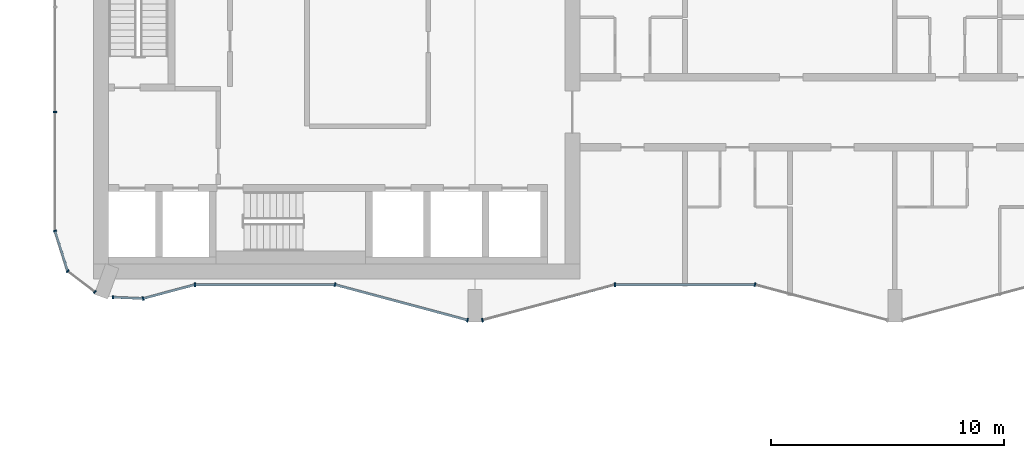
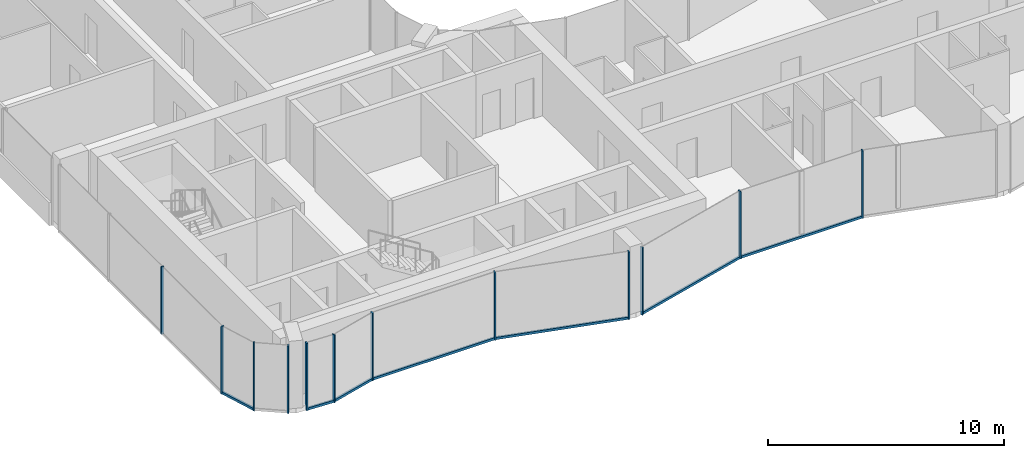
# One storey, part 2 of 22: 19 members, 10 elements without a shape of their own.
"""IFC4 building model written with IfcOpenShell, lengths in metres."""

from ifc_helpers import new_model, si_unit, direction, frame, origin, origin_2d, place, context, subcontext, project, spatial, rectangle, extrude, material, layer, layer_set, material_profile, profile_set, type_object, element, aggregate, save


model = new_model("IFC4")

# Units and contexts
model_context = context("Model", 3, precision=1e-05, world=origin(), true_north=direction((0.0, 1.0)))
body_context = subcontext(model_context, "Body", "Model", "MODEL_VIEW")
ifc_project = project(units=[si_unit("LENGTHUNIT", "METRE"), si_unit("AREAUNIT", "SQUARE_METRE"), si_unit("VOLUMEUNIT", "CUBIC_METRE"), si_unit("PLANEANGLEUNIT", "RADIAN"), si_unit("MASSUNIT", "GRAM", prefix="KILO")], contexts=[model_context])

# Site, building, storey
site_placement = place(None, origin())
site = spatial("IfcSite", under=ifc_project, at=site_placement, CompositionType="ELEMENT")
building_placement = place(site_placement, origin())
building = spatial("IfcBuilding", under=site, at=building_placement, Name="Plateau Cross Towers", CompositionType="ELEMENT")
storey_placement = place(building_placement, frame((0.0, 0.0, 116.800048828125)))
storey = spatial("IfcBuildingStorey", under=building, at=storey_placement, Name="L30", CompositionType="ELEMENT", Elevation=116.800048828125)

# Curtain wall, member
ifc_material_1 = material(Name="Dark low-iron glass", Category="glass")
ifc_layer_1 = layer(ifc_material_1, 0.239990234375)
ifc_layer_set_1 = layer_set([ifc_layer_1], Name="Dark low-iron glass")
curtain_wall_type_1 = type_object("IfcCurtainWallType", Name="Curtain wall flush unitised CW-B", PredefinedType="NOTDEFINED", material=ifc_layer_set_1)
curtain_wall_1_placement = place(storey_placement, origin())
curtain_wall_1 = element("IfcCurtainWall", 1, at=curtain_wall_1_placement, inside=storey, type_object=curtain_wall_type_1, Name="ENV/A/L30/A0_177", PredefinedType="NOTDEFINED")
ifc_material_2 = material(Name="Black anodised aluminium", Category="aluminium")
ifc_material_profile_1 = material_profile(ifc_material_2, rectangle(XDim=0.06005859375, YDim=0.139892578125, at=origin_2d()), Name="MULLION 60x140")
ifc_profile_set_1 = profile_set([ifc_material_profile_1], Name="Black anodised aluminium")
member_type_1 = type_object("IfcMemberType", Name="Mullion 60x140 flush unitised", PredefinedType="MULLION", material=ifc_profile_set_1)
member_1_placement = place(storey_placement, frame((0.0, 9.0, -0.25), z_axis=(0.0, 0.0, 1.0), x_axis=(0.0, -1.0, 0.0)))
member_1 = element("IfcMember", 2, at=member_1_placement, type_object=member_type_1, Name="CW-B mullion 3", PredefinedType="MULLION", context=body_context, shape_type="SweptSolid", body=[
    extrude(rectangle(XDim=0.06005859375, YDim=0.139892578125, at=origin_2d()), origin(), (0.0, 0.0, 1.0), 3.5),
])
aggregate(curtain_wall_1, [member_1])

curtain_wall_2_placement = place(storey_placement, origin())
curtain_wall_2 = element("IfcCurtainWall", 3, at=curtain_wall_2_placement, inside=storey, type_object=curtain_wall_type_1, Name="ENV/A/L30/A0_39", PredefinedType="NOTDEFINED")
member_2_placement = place(storey_placement, frame((0.0, 3.9091796875, -0.25), z_axis=(0.0, 0.0, 1.0), x_axis=(0.300686174994, -0.95372313811, 0.0)))
member_2 = element("IfcMember", 4, at=member_2_placement, type_object=member_type_1, Name="CW-B mullion 1", PredefinedType="MULLION", context=body_context, shape_type="SweptSolid", body=[
    extrude(rectangle(XDim=0.06005859375, YDim=0.139892578125, at=origin_2d()), origin(), (0.0, 0.0, 1.0), 3.5),
])

# Curtain wall, members
curtain_wall_3_placement = place(storey_placement, origin())
curtain_wall_3 = element("IfcCurtainWall", 5, at=curtain_wall_3_placement, inside=storey, type_object=curtain_wall_type_1, Name="ENV/A/L30/A5_22", PredefinedType="NOTDEFINED")
member_3_placement = place(storey_placement, frame((0.54248046875, 2.1884765625, -0.25), z_axis=(0.0, 0.0, 1.0), x_axis=(0.793315514529, -0.608810721331, 0.0)))
member_3 = element("IfcMember", 6, at=member_3_placement, type_object=member_type_1, Name="CW-B mullion 1", PredefinedType="MULLION", context=body_context, shape_type="SweptSolid", body=[
    extrude(rectangle(XDim=0.06005859375, YDim=0.139892578125, at=origin_2d()), origin(), (0.0, 0.0, 1.0), 3.5),
])
member_4_placement = place(storey_placement, frame((1.709716796875, 1.292724609375, -0.25), z_axis=(0.0, 0.0, 1.0), x_axis=(0.793315514529, -0.608810721331, 0.0)))
member_4 = element("IfcMember", 7, at=member_4_placement, type_object=member_type_1, Name="CW-B mullion 2", PredefinedType="MULLION", context=body_context, shape_type="SweptSolid", body=[
    extrude(rectangle(XDim=0.06005859375, YDim=0.139892578125, at=origin_2d()), origin(), (0.0, 0.0, 1.0), 3.5),
])
aggregate(curtain_wall_3, [member_3, member_4])

# Curtain wall, member
curtain_wall_4_placement = place(storey_placement, origin())
curtain_wall_4 = element("IfcCurtainWall", 8, at=curtain_wall_4_placement, inside=storey, type_object=curtain_wall_type_1, Name="ENV/A/L30/A25_11", PredefinedType="NOTDEFINED")
member_5_placement = place(storey_placement, frame((2.483642578125, 1.06787109375, -0.25), z_axis=(0.0, 0.0, 1.0), x_axis=(0.999043701491, -0.043722791671, 0.0)))
member_5 = element("IfcMember", 9, at=member_5_placement, type_object=member_type_1, Name="CW-B mullion 1", PredefinedType="MULLION", context=body_context, shape_type="SweptSolid", body=[
    extrude(rectangle(XDim=0.06005859375, YDim=0.139892578125, at=origin_2d()), origin(), (0.0, 0.0, 1.0), 3.5),
])

ifc_layer_2 = layer(ifc_material_1, 0.260009765625)
ifc_layer_set_2 = layer_set([ifc_layer_2], Name="Dark low-iron glass")
curtain_wall_type_2 = type_object("IfcCurtainWallType", Name="Curtain wall fluted unitised CW-A", PredefinedType="NOTDEFINED", material=ifc_layer_set_2)
curtain_wall_5_placement = place(storey_placement, origin())
curtain_wall_5 = element("IfcCurtainWall", 10, at=curtain_wall_5_placement, inside=storey, type_object=curtain_wall_type_2, Name="ENV/A/L30/A38_10", PredefinedType="NOTDEFINED")
ifc_material_profile_2 = material_profile(ifc_material_2, rectangle(XDim=0.06005859375, YDim=0.159912109375, at=origin_2d()), Name="MULLION 60x160")
ifc_profile_set_2 = profile_set([ifc_material_profile_2], Name="Black anodised aluminium")
member_type_2 = type_object("IfcMemberType", Name="Mullion 60x160 fluted unitised", PredefinedType="MULLION", material=ifc_profile_set_2)
member_6_placement = place(storey_placement, frame((3.776123046875, 1.01123046875, -0.25), z_axis=(0.0, 0.0, 1.0), x_axis=(0.965957962328, 0.258699081978, 0.0)))
member_6 = element("IfcMember", 11, at=member_6_placement, type_object=member_type_2, Name="CW-A mullion 1", PredefinedType="MULLION", context=body_context, shape_type="SweptSolid", body=[
    extrude(rectangle(XDim=0.06005859375, YDim=0.159912109375, at=origin_2d()), origin(), (0.0, 0.0, 1.0), 3.5),
])

curtain_wall_6_placement = place(storey_placement, origin())
curtain_wall_6 = element("IfcCurtainWall", 12, at=curtain_wall_6_placement, inside=storey, type_object=curtain_wall_type_2, Name="ENV/A/L30/A60_16", PredefinedType="NOTDEFINED")
member_7_placement = place(storey_placement, frame((6.0, 1.60693359375, -0.25), z_axis=(0.0, 0.0, 1.0), x_axis=(1.0, 0.0, 0.0)))
member_7 = element("IfcMember", 13, at=member_7_placement, type_object=member_type_2, Name="CW-A mullion 1", PredefinedType="MULLION", context=body_context, shape_type="SweptSolid", body=[
    extrude(rectangle(XDim=0.06005859375, YDim=0.159912109375, at=origin_2d()), origin(), (0.0, 0.0, 1.0), 3.5),
])

# Curtain wall, members
curtain_wall_7_placement = place(storey_placement, origin())
curtain_wall_7 = element("IfcCurtainWall", 14, at=curtain_wall_7_placement, inside=storey, type_object=curtain_wall_type_2, Name="ENV/A/L30/A120_16", PredefinedType="NOTDEFINED")
member_8_placement = place(storey_placement, frame((12.0, 1.60693359375, -0.25), z_axis=(0.0, 0.0, 1.0), x_axis=(0.965957983404, -0.258699003279, 0.0)))
member_8 = element("IfcMember", 15, at=member_8_placement, type_object=member_type_2, Name="CW-A mullion 1", PredefinedType="MULLION", context=body_context, shape_type="SweptSolid", body=[
    extrude(rectangle(XDim=0.06005859375, YDim=0.159912109375, at=origin_2d()), origin(), (0.0, 0.0, 1.0), 3.5),
])
member_9_placement = place(storey_placement, frame((17.68212890625, 0.085205078125, -0.25), z_axis=(0.0, 0.0, 1.0), x_axis=(0.965957983404, -0.258699003279, 0.0)))
member_9 = element("IfcMember", 16, at=member_9_placement, type_object=member_type_2, Name="CW-A mullion 2", PredefinedType="MULLION", context=body_context, shape_type="SweptSolid", body=[
    extrude(rectangle(XDim=0.06005859375, YDim=0.159912109375, at=origin_2d()), origin(), (0.0, 0.0, 1.0), 3.5),
])

# Curtain wall, member
curtain_wall_8_placement = place(storey_placement, origin())
curtain_wall_8 = element("IfcCurtainWall", 17, at=curtain_wall_8_placement, inside=storey, type_object=curtain_wall_type_2, Name="ENV/A/L30/A183_1", PredefinedType="NOTDEFINED")
member_10_placement = place(storey_placement, frame((18.31787109375, 0.085205078125, -0.25), z_axis=(0.0, 0.0, 1.0), x_axis=(0.965957983404, 0.258699003279, 0.0)))
member_10 = element("IfcMember", 18, at=member_10_placement, type_object=member_type_2, Name="CW-A mullion 1", PredefinedType="MULLION", context=body_context, shape_type="SweptSolid", body=[
    extrude(rectangle(XDim=0.06005859375, YDim=0.159912109375, at=origin_2d()), origin(), (0.0, 0.0, 1.0), 3.5),
])

curtain_wall_9_placement = place(storey_placement, origin())
curtain_wall_9 = element("IfcCurtainWall", 19, at=curtain_wall_9_placement, inside=storey, type_object=curtain_wall_type_2, Name="ENV/A/L30/A240_16", PredefinedType="NOTDEFINED")
member_11_placement = place(storey_placement, frame((24.0, 1.60693359375, -0.25), z_axis=(0.0, 0.0, 1.0), x_axis=(1.0, 0.0, 0.0)))
member_11 = element("IfcMember", 20, at=member_11_placement, type_object=member_type_2, Name="CW-A mullion 1", PredefinedType="MULLION", context=body_context, shape_type="SweptSolid", body=[
    extrude(rectangle(XDim=0.06005859375, YDim=0.159912109375, at=origin_2d()), origin(), (0.0, 0.0, 1.0), 3.5),
])

curtain_wall_10_placement = place(storey_placement, origin())
curtain_wall_10 = element("IfcCurtainWall", 21, at=curtain_wall_10_placement, inside=storey, type_object=curtain_wall_type_2, Name="ENV/A/L30/A300_16", PredefinedType="NOTDEFINED")
member_12_placement = place(storey_placement, frame((30.0, 1.60693359375, -0.25), z_axis=(0.0, 0.0, 1.0), x_axis=(0.965957983404, -0.258699003279, 0.0)))
member_12 = element("IfcMember", 22, at=member_12_placement, type_object=member_type_2, Name="CW-A mullion 1", PredefinedType="MULLION", context=body_context, shape_type="SweptSolid", body=[
    extrude(rectangle(XDim=0.06005859375, YDim=0.159912109375, at=origin_2d()), origin(), (0.0, 0.0, 1.0), 3.5),
])
aggregate(curtain_wall_10, [member_12])

# Member
ifc_material_profile_3 = material_profile(ifc_material_2, rectangle(XDim=0.10009765625, YDim=0.1201171875, at=origin_2d()), Name="TRANSOM 100x120")
ifc_profile_set_3 = profile_set([ifc_material_profile_3], Name="Black anodised aluminium")
member_type_3 = type_object("IfcMemberType", Name="Transom 100x120 flush unitised", PredefinedType="USERDEFINED", material=ifc_profile_set_3)
member_13_placement = place(storey_placement, frame((0.0, 3.9091796875, -0.18994140625), z_axis=(0.30067799945, -0.953725715626, 0.0), x_axis=(0.953725715626, 0.30067799945, 0.0)))
member_13 = element("IfcMember", 23, at=member_13_placement, type_object=member_type_3, Name="CW-B transom", ObjectType="TRANSOM", PredefinedType="USERDEFINED", context=body_context, shape_type="SweptSolid", body=[
    extrude(rectangle(XDim=0.10009765625, YDim=0.1201171875, at=origin_2d()), origin(), (0.0, 0.0, 1.0), 1.80419921875),
])

aggregate(curtain_wall_2, [member_2, member_13])

member_14_placement = place(storey_placement, frame((2.483642578125, 1.06787109375, -0.18994140625), z_axis=(0.999041144614, -0.043781175963, 0.0), x_axis=(0.043781175963, 0.999041144614, 0.0)))
member_14 = element("IfcMember", 24, at=member_14_placement, type_object=member_type_3, Name="CW-B transom", ObjectType="TRANSOM", PredefinedType="USERDEFINED", context=body_context, shape_type="SweptSolid", body=[
    extrude(rectangle(XDim=0.10009765625, YDim=0.1201171875, at=origin_2d()), origin(), (0.0, 0.0, 1.0), 1.293701171875),
])

aggregate(curtain_wall_4, [member_5, member_14])

ifc_material_profile_4 = material_profile(ifc_material_2, rectangle(XDim=0.10009765625, YDim=0.1201171875, at=origin_2d()), Name="TRANSOM 100x120")
ifc_profile_set_4 = profile_set([ifc_material_profile_4], Name="Black anodised aluminium")
member_type_4 = type_object("IfcMemberType", Name="Transom 100x120 fluted unitised", PredefinedType="USERDEFINED", material=ifc_profile_set_4)
member_15_placement = place(storey_placement, frame((3.776123046875, 1.01123046875, -0.18994140625), z_axis=(0.965945685136, 0.258744919501, 0.0), x_axis=(-0.258744919501, 0.965945685136, 0.0)))
member_15 = element("IfcMember", 25, at=member_15_placement, type_object=member_type_4, Name="CW-A transom", ObjectType="TRANSOM", PredefinedType="USERDEFINED", context=body_context, shape_type="SweptSolid", body=[
    extrude(rectangle(XDim=0.10009765625, YDim=0.1201171875, at=origin_2d()), origin(), (0.0, 0.0, 1.0), 2.30224609375),
])

aggregate(curtain_wall_5, [member_6, member_15])

member_16_placement = place(storey_placement, frame((6.0, 1.60693359375, -0.18994140625), z_axis=(1.0, 0.0, 0.0), x_axis=(0.0, 1.0, 0.0)))
member_16 = element("IfcMember", 26, at=member_16_placement, type_object=member_type_4, Name="CW-A transom", ObjectType="TRANSOM", PredefinedType="USERDEFINED", context=body_context, shape_type="SweptSolid", body=[
    extrude(rectangle(XDim=0.10009765625, YDim=0.1201171875, at=origin_2d()), origin(), (0.0, 0.0, 1.0), 6.0),
])

aggregate(curtain_wall_6, [member_7, member_16])

member_17_placement = place(storey_placement, frame((12.0, 1.60693359375, -0.18994140625), z_axis=(0.965959534794, -0.258693210465, 0.0), x_axis=(0.258693210465, 0.965959534794, 0.0)))
member_17 = element("IfcMember", 27, at=member_17_placement, type_object=member_type_4, Name="CW-A transom", ObjectType="TRANSOM", PredefinedType="USERDEFINED", context=body_context, shape_type="SweptSolid", body=[
    extrude(rectangle(XDim=0.10009765625, YDim=0.1201171875, at=origin_2d()), origin(), (0.0, 0.0, 1.0), 5.88232421875),
])

aggregate(curtain_wall_7, [member_8, member_9, member_17])

member_18_placement = place(storey_placement, frame((18.31787109375, 0.085205078125, -0.18994140625), z_axis=(0.965959534794, 0.258693210465, 0.0), x_axis=(-0.258693210465, 0.965959534794, 0.0)))
member_18 = element("IfcMember", 28, at=member_18_placement, type_object=member_type_4, Name="CW-A transom", ObjectType="TRANSOM", PredefinedType="USERDEFINED", context=body_context, shape_type="SweptSolid", body=[
    extrude(rectangle(XDim=0.10009765625, YDim=0.1201171875, at=origin_2d()), origin(), (0.0, 0.0, 1.0), 5.88232421875),
])

aggregate(curtain_wall_8, [member_10, member_18])

member_19_placement = place(storey_placement, frame((24.0, 1.60693359375, -0.18994140625), z_axis=(1.0, 0.0, 0.0), x_axis=(0.0, 1.0, 0.0)))
member_19 = element("IfcMember", 29, at=member_19_placement, type_object=member_type_4, Name="CW-A transom", ObjectType="TRANSOM", PredefinedType="USERDEFINED", context=body_context, shape_type="SweptSolid", body=[
    extrude(rectangle(XDim=0.10009765625, YDim=0.1201171875, at=origin_2d()), origin(), (0.0, 0.0, 1.0), 6.0),
])

aggregate(curtain_wall_9, [member_11, member_19])

save(model, "model.ifc")
